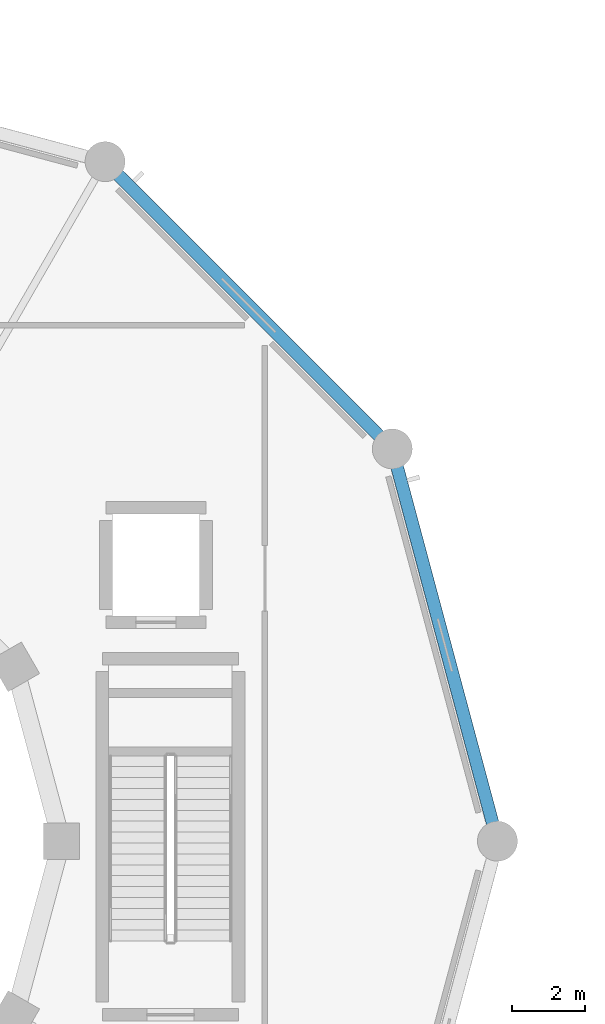
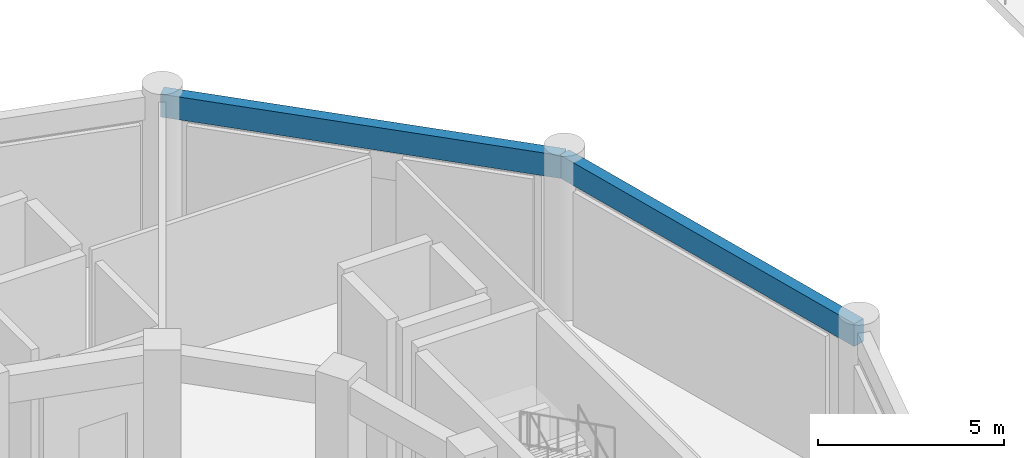
# One storey, part 30 of 86: 2 beams.
"""IFC4 building model written with IfcOpenShell, lengths in metres."""

from ifc_helpers import new_model, si_unit, direction, frame, origin, origin_2d, place, context, subcontext, project, spatial, rectangle, extrude, material, material_profile, profile_set, type_object, element, save


model = new_model("IFC4")

# Units and contexts
model_context = context("Model", 3, precision=1e-05, world=origin(), true_north=direction((0.0, 1.0)))
body_context = subcontext(model_context, "Body", "Model", "MODEL_VIEW")
ifc_project = project(units=[si_unit("LENGTHUNIT", "METRE"), si_unit("AREAUNIT", "SQUARE_METRE"), si_unit("VOLUMEUNIT", "CUBIC_METRE"), si_unit("PLANEANGLEUNIT", "RADIAN"), si_unit("MASSUNIT", "GRAM", prefix="KILO")], contexts=[model_context])

# Site, building, storey
site_placement = place(None, origin())
site = spatial("IfcSite", under=ifc_project, at=site_placement, CompositionType="ELEMENT")
building_placement = place(site_placement, origin())
building = spatial("IfcBuilding", under=site, at=building_placement, Name="Haizhuo Lancet Aquarium", CompositionType="ELEMENT")
storey_placement = place(building_placement, frame((0.0, 0.0, 16.199951171875)))
storey = spatial("IfcBuildingStorey", under=building, at=storey_placement, Name="L03", CompositionType="ELEMENT", Elevation=16.199951171875)

# Beams
ifc_material = material(Name="Concrete C40/50", Category="concrete")
ifc_material_profile = material_profile(ifc_material, rectangle(XDim=0.35009765625, YDim=0.75, at=origin_2d()), Name="RC-SP 350x750")
ifc_profile_set = profile_set([ifc_material_profile], Name="Concrete C40/50")
beam_type = type_object("IfcBeamType", Name="SPN-RC-350x750", PredefinedType="SPANDREL", material=ifc_profile_set)
beam_1_placement = place(storey_placement, frame((21.60009765625, 0.0, 4.775146484375), z_axis=(-0.258833949056, 0.965921832664, 0.0), x_axis=(-0.965921832664, -0.258833949056, 0.0)))
element("IfcBeam", 1, at=beam_1_placement, inside=storey, type_object=beam_type, Name="L03 drum perimeter spandrel 1", PredefinedType="SPANDREL", context=body_context, shape_type="SweptSolid", body=[
    extrude(rectangle(XDim=0.35009765625, YDim=0.75, at=origin_2d()), origin(), (0.0, 0.0, 1.0), 11.18115234375),
])
beam_2_placement = place(storey_placement, frame((18.7060546875, 10.800048828125, 4.775146484375), z_axis=(-0.707106781187, 0.707106781187, 0.0), x_axis=(-0.707106781187, -0.707106781187, 0.0)))
element("IfcBeam", 2, at=beam_2_placement, inside=storey, type_object=beam_type, Name="L03 drum perimeter spandrel 2", PredefinedType="SPANDREL", context=body_context, shape_type="SweptSolid", body=[
    extrude(rectangle(XDim=0.35009765625, YDim=0.75, at=origin_2d()), origin(), (0.0, 0.0, 1.0), 11.1806640625),
])

save(model, "model.ifc")
